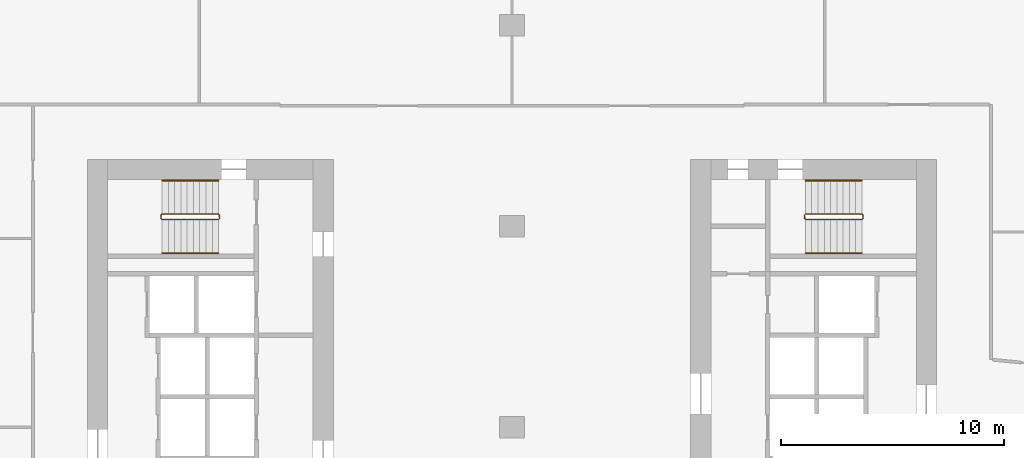
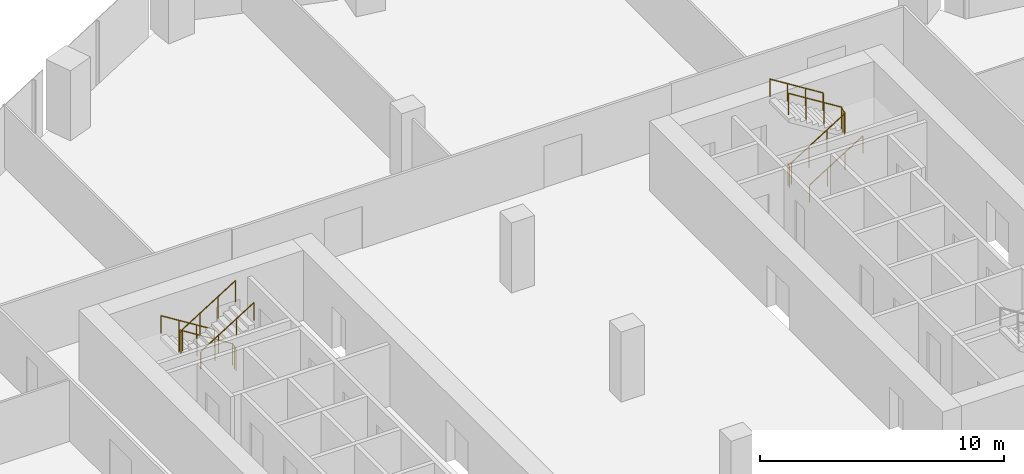
# One storey, part 34 of 34: 6 railings.
"""IFC4 building model written with IfcOpenShell, lengths in metres."""

from ifc_helpers import new_model, si_unit, direction, frame, origin, origin_2d, place, context, subcontext, project, spatial, circle, extrude, material, type_object, element, save


model = new_model("IFC4")

# Units and contexts
model_context = context("Model", 3, precision=1e-05, world=origin(), true_north=direction((0.0, 1.0)))
body_context = subcontext(model_context, "Body", "Model", "MODEL_VIEW")
ifc_project = project(units=[si_unit("LENGTHUNIT", "METRE"), si_unit("AREAUNIT", "SQUARE_METRE"), si_unit("VOLUMEUNIT", "CUBIC_METRE"), si_unit("PLANEANGLEUNIT", "RADIAN"), si_unit("MASSUNIT", "GRAM", prefix="KILO")], contexts=[model_context])

# Site, building, storey
site_placement = place(None, origin())
site = spatial("IfcSite", under=ifc_project, at=site_placement, CompositionType="ELEMENT")
building_placement = place(site_placement, origin())
building = spatial("IfcBuilding", under=site, at=building_placement, Name="Orlundy Tower", CompositionType="ELEMENT")
storey_placement = place(building_placement, frame((0.0, 0.0, 130.699951171875)))
storey = spatial("IfcBuildingStorey", under=building, at=storey_placement, Name="L33", CompositionType="ELEMENT", Elevation=130.699951171875)

# Railings
ifc_material_1 = material(Name="Steel balustrade", Category="steel")
railing_type_1 = type_object("IfcRailingType", Name="Stair Guard 1100", PredefinedType="GUARDRAIL", material=ifc_material_1)
railing_1_placement = place(storey_placement, frame((-13.090087890625, 9.5, 0.0)))
element("IfcRailing", 1, at=railing_1_placement, inside=storey, type_object=railing_type_1, Name="L33 ST-W1 stair guard 1", PredefinedType="GUARDRAIL", context=body_context, shape_type="SweptSolid", body=[
    extrude(circle(Radius=0.02392578125, at=origin_2d()), frame((0.0, 0.0, 1.076171875), z_axis=(0.0, -1.0, 0.0), x_axis=(1.0, 0.0, 0.0)), (0.0, 0.0, 1.0), 0.14990234375),
    extrude(circle(Radius=0.02392578125, at=origin_2d()), frame((0.0, -0.14990234375, 1.076171875), z_axis=(-0.18420542264, 0.739530593833, 0.647427882513), x_axis=(-0.970351222016, -0.241699205484, 0.0)), (0.0, 0.0, 1.0), 0.270263671875),
    extrude(circle(Radius=0.02392578125, at=origin_2d()), frame((-0.0498046875, 0.050048828125, 1.2509765625), z_axis=(-0.848007534815, 0.0, 0.529984170421), x_axis=(0.0, -1.0, 0.0)), (0.0, 0.0, 1.0), 2.9716796875),
    extrude(circle(Radius=0.02392578125, at=origin_2d()), frame((-2.56982421875, 0.050048828125, 2.826171875), z_axis=(-0.707106781187, -0.707106781187, 0.0), x_axis=(0.707106781187, -0.707106781187, 0.0)), (0.0, 0.0, 1.0), 0.07080078125),
    extrude(circle(Radius=0.02392578125, at=origin_2d()), frame((-2.619873046875, 0.0, 2.826171875), z_axis=(0.0, -1.0, 0.0), x_axis=(1.0, 0.0, 0.0)), (0.0, 0.0, 1.0), 0.14990234375),
    extrude(circle(Radius=0.02392578125, at=origin_2d()), frame((-2.619873046875, -0.14990234375, 2.826171875), z_axis=(0.265065253269, -0.265065253269, 0.927081885822), x_axis=(0.707106781187, 0.707106781187, 0.0)), (0.0, 0.0, 1.0), 0.188720703125),
    extrude(circle(Radius=0.02392578125, at=origin_2d()), frame((-2.56982421875, -0.199951171875, 3.0009765625), z_axis=(0.848007534815, 0.0, 0.529984170421), x_axis=(0.0, 1.0, 0.0)), (0.0, 0.0, 1.0), 2.9716796875),
    extrude(circle(Radius=0.02099609375, at=origin_2d()), origin(), (0.0, 0.0, 1.0), 1.052001953125),
    extrude(circle(Radius=0.02099609375, at=origin_2d()), frame((0.0, -0.14990234375, 0.0)), (0.0, 0.0, 1.0), 1.052001953125),
    extrude(circle(Radius=0.02099609375, at=origin_2d()), frame((-0.0498046875, 0.050048828125, 0.175048828125)), (0.0, 0.0, 1.0), 1.052001953125),
    extrude(circle(Radius=0.02099609375, at=origin_2d()), frame((-0.889892578125, 0.050048828125, 0.699951171875)), (0.0, 0.0, 1.0), 1.052001953125),
    extrude(circle(Radius=0.02099609375, at=origin_2d()), frame((-1.729736328125, 0.050048828125, 1.22509765625)), (0.0, 0.0, 1.0), 1.052001953125),
    extrude(circle(Radius=0.02099609375, at=origin_2d()), frame((-2.56982421875, 0.050048828125, 1.75)), (0.0, 0.0, 1.0), 1.052001953125),
    extrude(circle(Radius=0.02099609375, at=origin_2d()), frame((-2.619873046875, 0.0, 1.75)), (0.0, 0.0, 1.0), 1.052001953125),
    extrude(circle(Radius=0.02099609375, at=origin_2d()), frame((-2.619873046875, -0.14990234375, 1.75)), (0.0, 0.0, 1.0), 1.052001953125),
    extrude(circle(Radius=0.02099609375, at=origin_2d()), frame((-2.56982421875, -0.199951171875, 1.925048828125)), (0.0, 0.0, 1.0), 1.052001953125),
    extrude(circle(Radius=0.02099609375, at=origin_2d()), frame((-1.729736328125, -0.199951171875, 2.449951171875)), (0.0, 0.0, 1.0), 1.052001953125),
    extrude(circle(Radius=0.02099609375, at=origin_2d()), frame((-0.889892578125, -0.199951171875, 2.97509765625)), (0.0, 0.0, 1.0), 1.052001953125),
    extrude(circle(Radius=0.02099609375, at=origin_2d()), frame((-0.0498046875, -0.199951171875, 3.5)), (0.0, 0.0, 1.0), 1.052001953125),
])
railing_2_placement = place(storey_placement, frame((13.090087890625, 9.35009765625, 0.0)))
element("IfcRailing", 2, at=railing_2_placement, inside=storey, type_object=railing_type_1, Name="L33 ST-E2 stair guard 1", PredefinedType="GUARDRAIL", context=body_context, shape_type="SweptSolid", body=[
    extrude(circle(Radius=0.02392578125, at=origin_2d()), frame((0.0, 0.0, 1.076171875), z_axis=(0.0, 1.0, 0.0), x_axis=(-1.0, 0.0, 0.0)), (0.0, 0.0, 1.0), 0.14990234375),
    extrude(circle(Radius=0.02392578125, at=origin_2d()), frame((0.0, 0.14990234375, 1.076171875), z_axis=(0.18420542264, -0.739530593833, 0.647427882513), x_axis=(0.970351222016, 0.241699205484, 0.0)), (0.0, 0.0, 1.0), 0.270263671875),
    extrude(circle(Radius=0.02392578125, at=origin_2d()), frame((0.0498046875, -0.050048828125, 1.2509765625), z_axis=(0.848007534815, 0.0, 0.529984170421), x_axis=(0.0, 1.0, 0.0)), (0.0, 0.0, 1.0), 2.9716796875),
    extrude(circle(Radius=0.02392578125, at=origin_2d()), frame((2.56982421875, -0.050048828125, 2.826171875), z_axis=(0.707106781187, 0.707106781187, 0.0), x_axis=(-0.707106781187, 0.707106781187, 0.0)), (0.0, 0.0, 1.0), 0.07080078125),
    extrude(circle(Radius=0.02392578125, at=origin_2d()), frame((2.619873046875, 0.0, 2.826171875), z_axis=(0.0, 1.0, 0.0), x_axis=(-1.0, 0.0, 0.0)), (0.0, 0.0, 1.0), 0.14990234375),
    extrude(circle(Radius=0.02392578125, at=origin_2d()), frame((2.619873046875, 0.14990234375, 2.826171875), z_axis=(-0.265065253269, 0.265065253269, 0.927081885822), x_axis=(-0.707106781187, -0.707106781187, 0.0)), (0.0, 0.0, 1.0), 0.188720703125),
    extrude(circle(Radius=0.02392578125, at=origin_2d()), frame((2.56982421875, 0.199951171875, 3.0009765625), z_axis=(-0.848007534815, 0.0, 0.529984170421), x_axis=(0.0, -1.0, 0.0)), (0.0, 0.0, 1.0), 2.9716796875),
    extrude(circle(Radius=0.02099609375, at=origin_2d()), origin(), (0.0, 0.0, 1.0), 1.052001953125),
    extrude(circle(Radius=0.02099609375, at=origin_2d()), frame((0.0, 0.14990234375, 0.0)), (0.0, 0.0, 1.0), 1.052001953125),
    extrude(circle(Radius=0.02099609375, at=origin_2d()), frame((0.0498046875, -0.050048828125, 0.175048828125)), (0.0, 0.0, 1.0), 1.052001953125),
    extrude(circle(Radius=0.02099609375, at=origin_2d()), frame((0.889892578125, -0.050048828125, 0.699951171875)), (0.0, 0.0, 1.0), 1.052001953125),
    extrude(circle(Radius=0.02099609375, at=origin_2d()), frame((1.729736328125, -0.050048828125, 1.22509765625)), (0.0, 0.0, 1.0), 1.052001953125),
    extrude(circle(Radius=0.02099609375, at=origin_2d()), frame((2.56982421875, -0.050048828125, 1.75)), (0.0, 0.0, 1.0), 1.052001953125),
    extrude(circle(Radius=0.02099609375, at=origin_2d()), frame((2.619873046875, 0.0, 1.75)), (0.0, 0.0, 1.0), 1.052001953125),
    extrude(circle(Radius=0.02099609375, at=origin_2d()), frame((2.619873046875, 0.14990234375, 1.75)), (0.0, 0.0, 1.0), 1.052001953125),
    extrude(circle(Radius=0.02099609375, at=origin_2d()), frame((2.56982421875, 0.199951171875, 1.925048828125)), (0.0, 0.0, 1.0), 1.052001953125),
    extrude(circle(Radius=0.02099609375, at=origin_2d()), frame((1.729736328125, 0.199951171875, 2.449951171875)), (0.0, 0.0, 1.0), 1.052001953125),
    extrude(circle(Radius=0.02099609375, at=origin_2d()), frame((0.889892578125, 0.199951171875, 2.97509765625)), (0.0, 0.0, 1.0), 1.052001953125),
    extrude(circle(Radius=0.02099609375, at=origin_2d()), frame((0.0498046875, 0.199951171875, 3.5)), (0.0, 0.0, 1.0), 1.052001953125),
])
ifc_material_2 = material(Name="Steel handrail", Category="steel")
railing_type_2 = type_object("IfcRailingType", Name="Stair Handrail 900", PredefinedType="HANDRAIL", material=ifc_material_2)
railing_3_placement = place(storey_placement, frame((-13.139892578125, 11.050048828125, 0.175048828125)))
element("IfcRailing", 3, at=railing_3_placement, inside=storey, type_object=railing_type_2, Name="L33 ST-W1 stair handrail 1", PredefinedType="HANDRAIL", context=body_context, shape_type="SweptSolid", body=[
    extrude(circle(Radius=0.02392578125, at=origin_2d()), frame((0.0, 0.0, 0.8759765625), z_axis=(-0.848007534815, 0.0, 0.529984170421), x_axis=(0.0, -1.0, 0.0)), (0.0, 0.0, 1.0), 2.9716796875),
    extrude(circle(Radius=0.02099609375, at=origin_2d()), origin(), (0.0, 0.0, 1.0), 0.851806640625),
    extrude(circle(Radius=0.02099609375, at=origin_2d()), frame((-0.840087890625, 0.0, 0.52490234375)), (0.0, 0.0, 1.0), 0.851806640625),
    extrude(circle(Radius=0.02099609375, at=origin_2d()), frame((-1.679931640625, 0.0, 1.050048828125)), (0.0, 0.0, 1.0), 0.851806640625),
    extrude(circle(Radius=0.02099609375, at=origin_2d()), frame((-2.52001953125, 0.0, 1.574951171875)), (0.0, 0.0, 1.0), 0.851806640625),
])
for number, where, name in (
    (4, (-15.659912109375, 7.800048828125, 1.925048828125), "L33 ST-W1 stair handrail 2"),
    (5, (13.139892578125, 7.800048828125, 0.175048828125), "L33 ST-E2 stair handrail 1"),
):
    element("IfcRailing", number, at=place(storey_placement, frame(where)), inside=storey, type_object=railing_type_2, Name=name, PredefinedType="HANDRAIL", context=body_context, shape_type="SweptSolid", body=[
        extrude(circle(Radius=0.02392578125, at=origin_2d()), frame((0.0, 0.0, 0.8759765625), z_axis=(0.848007534815, 0.0, 0.529984170421), x_axis=(0.0, 1.0, 0.0)), (0.0, 0.0, 1.0), 2.9716796875),
        extrude(circle(Radius=0.02099609375, at=origin_2d()), origin(), (0.0, 0.0, 1.0), 0.851806640625),
        extrude(circle(Radius=0.02099609375, at=origin_2d()), frame((0.840087890625, 0.0, 0.52490234375)), (0.0, 0.0, 1.0), 0.851806640625),
        extrude(circle(Radius=0.02099609375, at=origin_2d()), frame((1.679931640625, 0.0, 1.050048828125)), (0.0, 0.0, 1.0), 0.851806640625),
        extrude(circle(Radius=0.02099609375, at=origin_2d()), frame((2.52001953125, 0.0, 1.574951171875)), (0.0, 0.0, 1.0), 0.851806640625),
    ])
railing_4_placement = place(storey_placement, frame((15.659912109375, 11.050048828125, 1.925048828125)))
element("IfcRailing", 6, at=railing_4_placement, inside=storey, type_object=railing_type_2, Name="L33 ST-E2 stair handrail 2", PredefinedType="HANDRAIL", context=body_context, shape_type="SweptSolid", body=[
    extrude(circle(Radius=0.02392578125, at=origin_2d()), frame((0.0, 0.0, 0.8759765625), z_axis=(-0.848007534815, 0.0, 0.529984170421), x_axis=(0.0, -1.0, 0.0)), (0.0, 0.0, 1.0), 2.9716796875),
    extrude(circle(Radius=0.02099609375, at=origin_2d()), origin(), (0.0, 0.0, 1.0), 0.851806640625),
    extrude(circle(Radius=0.02099609375, at=origin_2d()), frame((-0.840087890625, 0.0, 0.52490234375)), (0.0, 0.0, 1.0), 0.851806640625),
    extrude(circle(Radius=0.02099609375, at=origin_2d()), frame((-1.679931640625, 0.0, 1.050048828125)), (0.0, 0.0, 1.0), 0.851806640625),
    extrude(circle(Radius=0.02099609375, at=origin_2d()), frame((-2.52001953125, 0.0, 1.574951171875)), (0.0, 0.0, 1.0), 0.851806640625),
])

save(model, "model.ifc")
